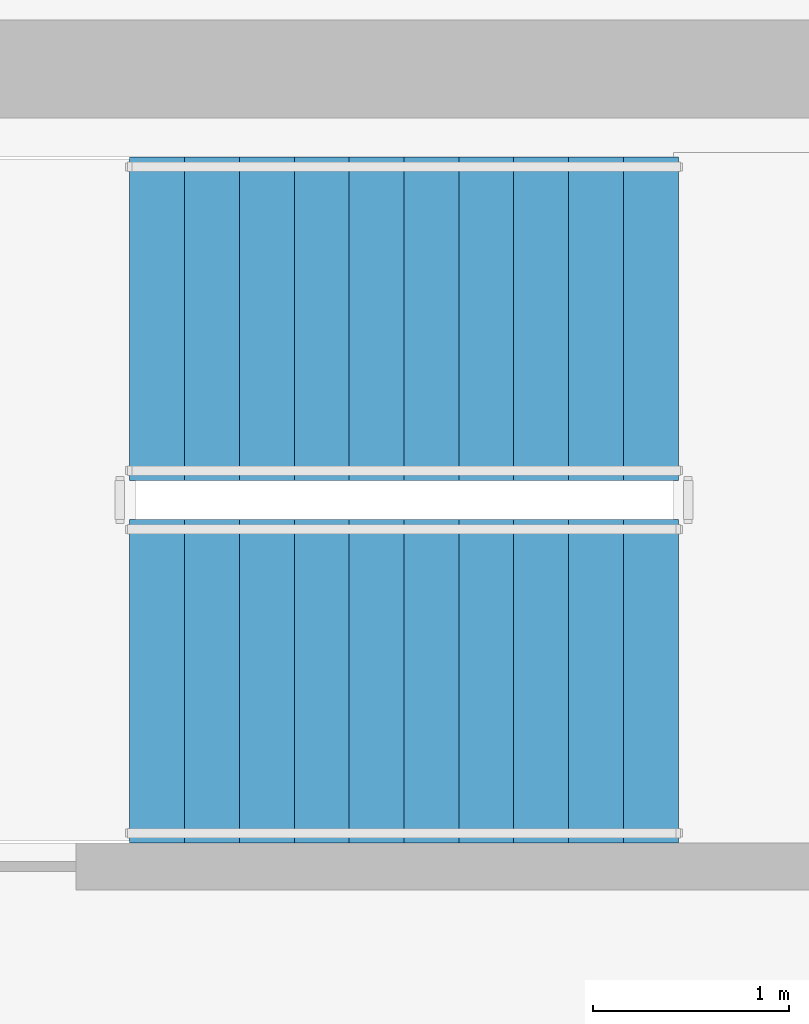
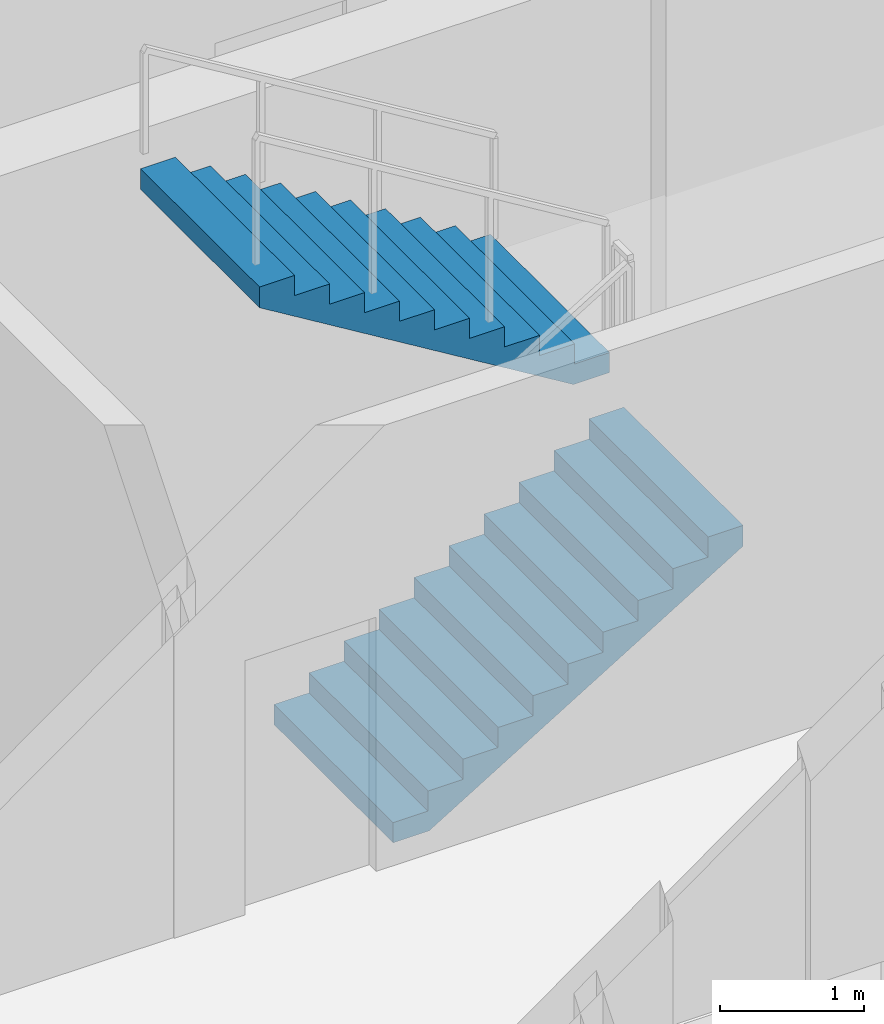
# One storey, part 27 of 32: 2 stair flights, 1 element without a shape of its own.
"""IFC4 building model written with IfcOpenShell, lengths in metres."""

from ifc_helpers import new_model, si_unit, direction, frame, origin, place, context, subcontext, project, spatial, polyline, outline, extrude, material, type_object, element, aggregate, save


model = new_model("IFC4")

# Units and contexts
model_context = context("Model", 3, precision=1e-05, world=origin(), true_north=direction((0.0, 1.0)))
body_context = subcontext(model_context, "Body", "Model", "MODEL_VIEW")
ifc_project = project(units=[si_unit("LENGTHUNIT", "METRE"), si_unit("AREAUNIT", "SQUARE_METRE"), si_unit("VOLUMEUNIT", "CUBIC_METRE"), si_unit("PLANEANGLEUNIT", "RADIAN"), si_unit("MASSUNIT", "GRAM", prefix="KILO")], contexts=[model_context])

# Site, building, storey
site_placement = place(None, origin())
site = spatial("IfcSite", under=ifc_project, at=site_placement, CompositionType="ELEMENT")
building_placement = place(site_placement, origin())
building = spatial("IfcBuilding", under=site, at=building_placement, Name="Haldenkirk Collegiate Tower", CompositionType="ELEMENT")
storey_placement = place(building_placement, frame((0.0, 0.0, 151.949951171875)))
storey = spatial("IfcBuildingStorey", under=building, at=storey_placement, Name="L37", CompositionType="ELEMENT", Elevation=151.949951171875)

# Stair, stair flights
ifc_material = material(Name="Concrete f'c 40 MPa", Category="concrete")
stair_type = type_object("IfcStairType", Name="STR-DOGLEG-1650", PredefinedType="HALF_TURN_STAIR", material=ifc_material)
stair_placement = place(storey_placement, origin())
stair = element("IfcStair", 1, at=stair_placement, inside=storey, type_object=stair_type, Name="L37 Core Exit Stair ST-3", PredefinedType="HALF_TURN_STAIR")
stair_flight_type = type_object("IfcStairFlightType", Name="STF-FLIGHT-1650", PredefinedType="STRAIGHT", material=ifc_material)
stair_flight_1_placement = place(storey_placement, frame((33.64990234375, 30.875, 0.0), z_axis=(0.0, 0.0, 1.0), x_axis=(1.0, 0.0, 0.0)))
stair_flight_1 = element("IfcStairFlight", 2, at=stair_flight_1_placement, type_object=stair_flight_type, Name="ST-3 flight 1", NumberOfRisers=11, NumberOfTreads=10, PredefinedType="STRAIGHT", RiserHeight=0.170454545, TreadLength=0.28, context=body_context, shape_type="SweptSolid", body=[
    extrude(outline(polyline([(0.0, 0.0), (0.0, 0.17041015625), (0.280029296875, 0.17041015625), (0.280029296875, 0.3408203125), (0.56005859375, 0.3408203125), (0.56005859375, 0.511474609375), (0.840087890625, 0.511474609375), (0.840087890625, 0.681884765625), (1.1201171875, 0.681884765625), (1.1201171875, 0.852294921875), (1.39990234375, 0.852294921875), (1.39990234375, 1.022705078125), (1.679931640625, 1.022705078125), (1.679931640625, 1.193115234375), (1.9599609375, 1.193115234375), (1.9599609375, 1.363525390625), (2.239990234375, 1.363525390625), (2.239990234375, 1.5341796875), (2.52001953125, 1.5341796875), (2.52001953125, 1.70458984375), (2.800048828125, 1.70458984375), (2.800048828125, 1.875), (2.800048828125, 1.529052734375), (0.288330078125, 0.0), (0.0, 0.0)])), frame((0.0, 0.824951171875, 0.0), z_axis=(0.0, -1.0, 0.0), x_axis=(1.0, 0.0, 0.0)), (0.0, 0.0, 1.0), 1.64990234375),
])
stair_flight_2_placement = place(storey_placement, frame((36.449951171875, 32.72509765625, 1.875), z_axis=(0.0, 0.0, 1.0), x_axis=(-1.0, 0.0, 0.0)))
stair_flight_2 = element("IfcStairFlight", 3, at=stair_flight_2_placement, type_object=stair_flight_type, Name="ST-3 flight 2", NumberOfRisers=11, NumberOfTreads=10, PredefinedType="STRAIGHT", RiserHeight=0.170454545, TreadLength=0.28, context=body_context, shape_type="SweptSolid", body=[
    extrude(outline(polyline([(0.0, 0.0), (0.0, 0.17041015625), (0.280029296875, 0.17041015625), (0.280029296875, 0.3408203125), (0.56005859375, 0.3408203125), (0.56005859375, 0.511474609375), (0.840087890625, 0.511474609375), (0.840087890625, 0.681884765625), (1.1201171875, 0.681884765625), (1.1201171875, 0.852294921875), (1.39990234375, 0.852294921875), (1.39990234375, 1.022705078125), (1.679931640625, 1.022705078125), (1.679931640625, 1.193115234375), (1.9599609375, 1.193115234375), (1.9599609375, 1.363525390625), (2.239990234375, 1.363525390625), (2.239990234375, 1.5341796875), (2.52001953125, 1.5341796875), (2.52001953125, 1.70458984375), (2.800048828125, 1.70458984375), (2.800048828125, 1.875), (2.800048828125, 1.529052734375), (0.288330078125, 0.0), (0.0, 0.0)])), frame((0.0, 0.824951171875, 0.0), z_axis=(0.0, -1.0, 0.0), x_axis=(1.0, 0.0, 0.0)), (0.0, 0.0, 1.0), 1.64990234375),
])
aggregate(stair, [stair_flight_1, stair_flight_2])

save(model, "model.ifc")
